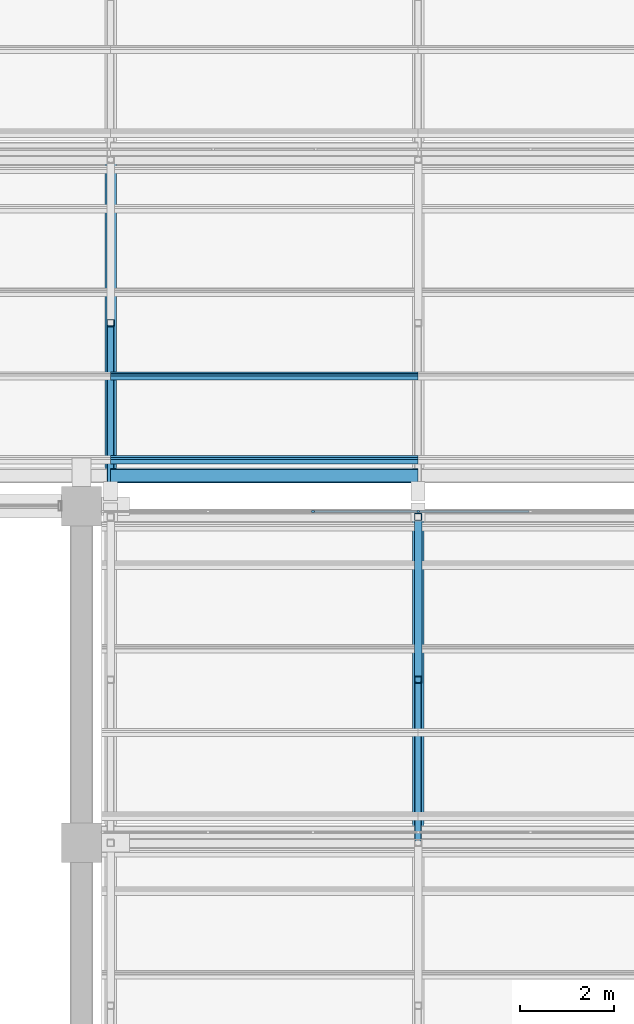
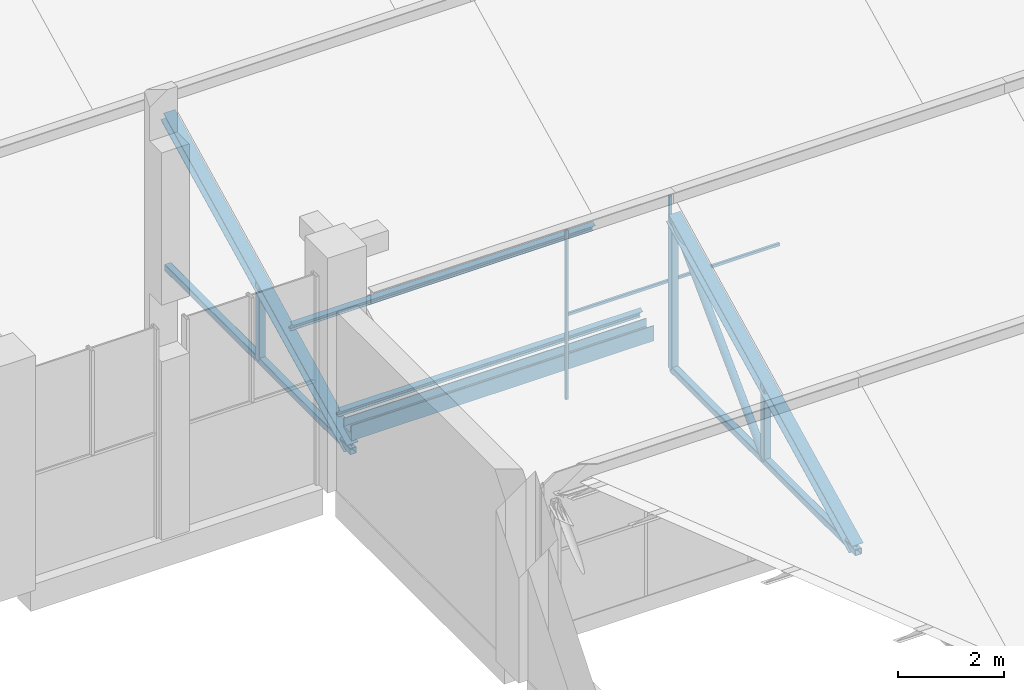
# One storey, part 33 of 83: 15 members, 2 elements without a shape of their own.
"""IFC4 building model written with IfcOpenShell, lengths in metres."""

from ifc_helpers import new_model, si_unit, direction, frame, origin, origin_2d, place, context, subcontext, project, spatial, polyline, rectangle, hollow_rectangle, hollow_circle, i_section, outline, extrude, material, material_profile, profile_set, type_object, element, aggregate, save


model = new_model("IFC4")

# Units and contexts
model_context = context("Model", 3, precision=1e-05, world=origin(), true_north=direction((0.0, 1.0)))
body_context = subcontext(model_context, "Body", "Model", "MODEL_VIEW")
ifc_project = project(units=[si_unit("LENGTHUNIT", "METRE"), si_unit("AREAUNIT", "SQUARE_METRE"), si_unit("VOLUMEUNIT", "CUBIC_METRE"), si_unit("PLANEANGLEUNIT", "RADIAN"), si_unit("MASSUNIT", "GRAM", prefix="KILO")], contexts=[model_context])

# Site, building, storey
site_placement = place(None, origin())
site = spatial("IfcSite", under=ifc_project, at=site_placement, CompositionType="ELEMENT")
building_placement = place(site_placement, origin())
building = spatial("IfcBuilding", under=site, at=building_placement, Name="Silangan Lancet Faculty of Sciences", CompositionType="ELEMENT")
storey_placement = place(building_placement, frame((0.0, 0.0, 11.39990234375)))
storey = spatial("IfcBuildingStorey", under=building, at=storey_placement, Name="L02", CompositionType="ELEMENT", Elevation=11.39990234375)

# Curtain wall, member
ifc_material_1 = material(Name="Aluminium and laminated glass", Category="aluminium")
curtain_wall_type = type_object("IfcCurtainWallType", Name="North light glazing system", PredefinedType="NOTDEFINED", material=ifc_material_1)
curtain_wall_1_placement = place(storey_placement, origin())
curtain_wall_1 = element("IfcCurtainWall", 1, at=curtain_wall_1_placement, inside=storey, type_object=curtain_wall_type, Name="North light glazing AUD-2-1", PredefinedType="NOTDEFINED")
ifc_material_2 = material(Name="Aluminium 6063-T6", Category="aluminium")
ifc_material_profile_1 = material_profile(ifc_material_2, rectangle(XDim=0.06005859375, YDim=0.050048828125, at=origin_2d()), Name="AL 60x50")
ifc_profile_set_1 = profile_set([ifc_material_profile_1], Name="Aluminium 6063-T6")
member_type_1 = type_object("IfcMemberType", Name="North light mullion 60x50", PredefinedType="MULLION", material=ifc_profile_set_1)
member_1_placement = place(storey_placement, frame((55.351806640625, 35.885009765625, 0.10009765625), z_axis=(0.0, 0.0, 1.0), x_axis=(1.0, 0.0, 0.0)))
member_1 = element("IfcMember", 2, at=member_1_placement, type_object=member_type_1, Name="North light mullion AUD-2-1 3", PredefinedType="MULLION", context=body_context, shape_type="SweptSolid", body=[
    extrude(rectangle(XDim=0.06005859375, YDim=0.050048828125, at=origin_2d()), origin(), (0.0, 0.0, 1.0), 3.887939453125),
])

curtain_wall_2_placement = place(storey_placement, origin())
curtain_wall_2 = element("IfcCurtainWall", 3, at=curtain_wall_2_placement, inside=storey, type_object=curtain_wall_type, Name="North light glazing AUD-2-2", PredefinedType="NOTDEFINED")
member_2_placement = place(storey_placement, frame((57.60009765625, 35.885009765625, 0.10009765625), z_axis=(0.0, 0.0, 1.0), x_axis=(1.0, 0.0, 0.0)))
member_2 = element("IfcMember", 4, at=member_2_placement, type_object=member_type_1, Name="North light mullion AUD-2-2 1", PredefinedType="MULLION", context=body_context, shape_type="SweptSolid", body=[
    extrude(rectangle(XDim=0.06005859375, YDim=0.050048828125, at=origin_2d()), origin(), (0.0, 0.0, 1.0), 3.887939453125),
])

# Member
ifc_material_3 = material(Name="Aluminium 6063-T6", Category="aluminium")
ifc_material_profile_2 = material_profile(ifc_material_3, rectangle(XDim=0.050048828125, YDim=0.06005859375, at=origin_2d()), Name="AL 50x60")
ifc_profile_set_2 = profile_set([ifc_material_profile_2], Name="Aluminium 6063-T6")
member_type_2 = type_object("IfcMemberType", Name="North light transom 50x60", PredefinedType="USERDEFINED", material=ifc_profile_set_2)
member_3_placement = place(storey_placement, frame((55.381591796875, 35.885009765625, 2.044189453125), z_axis=(1.0, 0.0, 0.0), x_axis=(0.0, 1.0, 0.0)))
member_3 = element("IfcMember", 5, at=member_3_placement, type_object=member_type_2, Name="North light transom AUD-2-1 3", ObjectType="TRANSOM", PredefinedType="USERDEFINED", context=body_context, shape_type="SweptSolid", body=[
    extrude(rectangle(XDim=0.050048828125, YDim=0.06005859375, at=origin_2d()), origin(), (0.0, 0.0, 1.0), 2.1884765625),
])

aggregate(curtain_wall_1, [member_1, member_3])

member_4_placement = place(storey_placement, frame((57.6298828125, 35.885009765625, 2.044189453125), z_axis=(1.0, 0.0, 0.0), x_axis=(0.0, 1.0, 0.0)))
member_4 = element("IfcMember", 6, at=member_4_placement, type_object=member_type_2, Name="North light transom AUD-2-2 1", ObjectType="TRANSOM", PredefinedType="USERDEFINED", context=body_context, shape_type="SweptSolid", body=[
    extrude(rectangle(XDim=0.050048828125, YDim=0.06005859375, at=origin_2d()), origin(), (0.0, 0.0, 1.0), 2.340087890625),
])

aggregate(curtain_wall_2, [member_2, member_4])

# Members
ifc_material_4 = material(Name="Steel SS400", Category="steel")
ifc_material_profile_3 = material_profile(ifc_material_4, i_section(OverallWidth=0.10009765625, OverallDepth=0.199951171875, WebThickness=0.005615234375, FlangeThickness=0.008056640625, FilletRadius=0.008056640625, at=origin_2d()), Name="H 200x100x5.5x8")
ifc_profile_set_3 = profile_set([ifc_material_profile_3], Name="Steel SS400")
member_type_3 = type_object("IfcMemberType", Name="Sheeting purlin H 200x100x5.5x8", PredefinedType="PURLIN", material=ifc_profile_set_3)
for number, where, z_axis, x_axis, name in (
    (7, (51.02490234375, 36.9951171875, 0.6318359375), (1.0, 0.0, 0.0), (0.0, 0.894427192382, 0.447213592736), "Sheeting purlin NAB-1-4 1"),
    (8, (51.02490234375, 38.7841796875, 1.526123046875), (1.0, 0.0, 0.0), (0.0, 0.894427192382, 0.447213592736), "Sheeting purlin NAB-1-4 2"),
):
    element("IfcMember", number, at=place(storey_placement, frame(where, z_axis=z_axis, x_axis=x_axis)), inside=storey, type_object=member_type_3, Name=name, PredefinedType="PURLIN", context=body_context, shape_type="SweptSolid", body=[
        extrude(i_section(OverallWidth=0.10009765625, OverallDepth=0.199951171875, WebThickness=0.005615234375, FlangeThickness=0.008056640625, FilletRadius=0.008056640625, at=origin_2d()), origin(), (0.0, 0.0, 1.0), 6.5751953125),
    ])
ifc_material_5 = material(Name="Steel STKR400", Category="steel")
ifc_material_profile_4 = material_profile(ifc_material_5, hollow_rectangle(XDim=0.14990234375, YDim=0.14990234375, WallThickness=0.009033203125, InnerFilletRadius=0.009033203125, OuterFilletRadius=0.01806640625, at=origin_2d()), Name="SHS 150x150x9.0")
ifc_profile_set_4 = profile_set([ifc_material_profile_4], Name="Steel STKR400")
member_type_4 = type_object("IfcMemberType", Name="Truss bottom chord SHS 150x150x9.0", PredefinedType="CHORD", material=ifc_profile_set_4)
member_5_placement = place(storey_placement, frame((51.02490234375, 36.425048828125, 0.09521484375), z_axis=(0.0, 1.0, 0.0), x_axis=(-1.0, 0.0, 0.0)))
element("IfcMember", 9, at=member_5_placement, inside=storey, type_object=member_type_4, Name="Truss 4 bottom chord 1", PredefinedType="CHORD", context=body_context, shape_type="SweptSolid", body=[
    extrude(hollow_rectangle(XDim=0.14990234375, YDim=0.14990234375, WallThickness=0.009033203125, InnerFilletRadius=0.009033203125, OuterFilletRadius=0.01806640625, at=origin_2d()), origin(), (0.0, 0.0, 1.0), 6.981689453125),
])
member_6_placement = place(storey_placement, frame((57.60009765625, 28.800048828125, 0.09521484375), z_axis=(0.0, 1.0, 0.0), x_axis=(-1.0, 0.0, 0.0)))
element("IfcMember", 10, at=member_6_placement, inside=storey, type_object=member_type_4, Name="Truss 2 bottom chord 2", PredefinedType="CHORD", context=body_context, shape_type="SweptSolid", body=[
    extrude(hollow_rectangle(XDim=0.14990234375, YDim=0.14990234375, WallThickness=0.009033203125, InnerFilletRadius=0.009033203125, OuterFilletRadius=0.01806640625, at=origin_2d()), origin(), (0.0, 0.0, 1.0), 6.969970703125),
])
ifc_material_6 = material(Name="Steel STK400", Category="steel")
ifc_material_profile_5 = material_profile(ifc_material_6, hollow_circle(Radius=0.08251953125, WallThickness=0.0048828125, at=origin_2d()), Name="CHS 165.2x5.0")
ifc_profile_set_5 = profile_set([ifc_material_profile_5], Name="Steel STK400")
member_type_5 = type_object("IfcMemberType", Name="Truss diagonal CHS 165.2x5.0", PredefinedType="BRACE", material=ifc_profile_set_5)
member_7_placement = place(storey_placement, frame((57.60009765625, 32.284912109375, 0.09521484375), z_axis=(0.0, 0.707131548933, 0.707082012572), x_axis=(-1.0, 0.0, 0.0)))
element("IfcMember", 11, at=member_7_placement, inside=storey, type_object=member_type_5, Name="Truss 2 diagonal 2", PredefinedType="BRACE", context=body_context, shape_type="SweptSolid", body=[
    extrude(hollow_circle(Radius=0.08251953125, WallThickness=0.0048828125, at=origin_2d()), origin(), (0.0, 0.0, 1.0), 4.928466796875),
])
ifc_material_7 = material(Name="Steel STKR400", Category="steel")
ifc_material_profile_6 = material_profile(ifc_material_7, hollow_rectangle(XDim=0.14990234375, YDim=0.14990234375, WallThickness=0.006103515625, InnerFilletRadius=0.006103515625, OuterFilletRadius=0.011962890625, at=origin_2d()), Name="SHS 150x150x6.0")
ifc_profile_set_6 = profile_set([ifc_material_profile_6], Name="Steel STKR400")
member_type_6 = type_object("IfcMemberType", Name="Truss post SHS 150x150x6.0", PredefinedType="POST", material=ifc_profile_set_6)
member_8_placement = place(storey_placement, frame((51.02490234375, 39.915771484375, 0.09521484375), z_axis=(0.0, 0.0, 1.0), x_axis=(1.0, 0.0, 0.0)))
element("IfcMember", 12, at=member_8_placement, inside=storey, type_object=member_type_6, Name="Truss 4 mid post 1", PredefinedType="POST", context=body_context, shape_type="SweptSolid", body=[
    extrude(hollow_rectangle(XDim=0.14990234375, YDim=0.14990234375, WallThickness=0.006103515625, InnerFilletRadius=0.006103515625, OuterFilletRadius=0.011962890625, at=origin_2d()), origin(), (0.0, 0.0, 1.0), 1.745361328125),
])
member_9_placement = place(storey_placement, frame((57.60009765625, 35.77001953125, 0.09521484375), z_axis=(0.0, 0.0, 1.0), x_axis=(1.0, 0.0, 0.0)))
element("IfcMember", 13, at=member_9_placement, inside=storey, type_object=member_type_6, Name="Truss 2 riser post 2", PredefinedType="POST", context=body_context, shape_type="SweptSolid", body=[
    extrude(hollow_rectangle(XDim=0.14990234375, YDim=0.14990234375, WallThickness=0.006103515625, InnerFilletRadius=0.006103515625, OuterFilletRadius=0.011962890625, at=origin_2d()), origin(), (0.0, 0.0, 1.0), 3.48486328125),
])
member_10_placement = place(storey_placement, frame((57.60009765625, 32.284912109375, 0.09521484375), z_axis=(0.0, 0.0, 1.0), x_axis=(1.0, 0.0, 0.0)))
element("IfcMember", 14, at=member_10_placement, inside=storey, type_object=member_type_6, Name="Truss 2 mid post 2", PredefinedType="POST", context=body_context, shape_type="SweptSolid", body=[
    extrude(hollow_rectangle(XDim=0.14990234375, YDim=0.14990234375, WallThickness=0.006103515625, InnerFilletRadius=0.006103515625, OuterFilletRadius=0.011962890625, at=origin_2d()), origin(), (0.0, 0.0, 1.0), 1.742431640625),
])
ifc_material_8 = material(Name="Steel SS400", Category="steel")
ifc_material_profile_7 = material_profile(ifc_material_8, i_section(OverallWidth=0.25, OverallDepth=0.25, WebThickness=0.009033203125, FlangeThickness=0.013916015625, FilletRadius=0.01611328125, at=origin_2d()), Name="H 250x250x9x14")
ifc_profile_set_7 = profile_set([ifc_material_profile_7], Name="Steel SS400")
member_type_7 = type_object("IfcMemberType", Name="Truss top chord H 250x250x9x14", PredefinedType="CHORD", material=ifc_profile_set_7)
member_11_placement = place(storey_placement, frame((51.02490234375, 36.505615234375, 0.13525390625), z_axis=(0.0, 0.894420862535, 0.447226252205), x_axis=(-1.0, 0.0, 0.0)))
element("IfcMember", 15, at=member_11_placement, inside=storey, type_object=member_type_7, Name="Truss 4 top chord 1", PredefinedType="CHORD", context=body_context, shape_type="SweptSolid", body=[
    extrude(i_section(OverallWidth=0.25, OverallDepth=0.25, WebThickness=0.009033203125, FlangeThickness=0.013916015625, FilletRadius=0.01611328125, at=origin_2d()), origin(), (0.0, 0.0, 1.0), 7.7158203125),
])
member_12_placement = place(storey_placement, frame((57.60009765625, 28.880615234375, 0.13525390625), z_axis=(0.0, 0.894420851771, 0.447226273734), x_axis=(-1.0, 0.0, 0.0)))
element("IfcMember", 16, at=member_12_placement, inside=storey, type_object=member_type_7, Name="Truss 2 top chord 2", PredefinedType="CHORD", context=body_context, shape_type="SweptSolid", body=[
    extrude(i_section(OverallWidth=0.25, OverallDepth=0.25, WebThickness=0.009033203125, FlangeThickness=0.013916015625, FilletRadius=0.01611328125, at=origin_2d()), origin(), (0.0, 0.0, 1.0), 7.70263671875),
])
ifc_material_9 = material(Name="Stainless steel", Category="steel")
ifc_material_profile_8 = material_profile(ifc_material_9, outline(polyline([(-0.14990234375, 0.0), (0.14990234375, 0.14990234375), (0.14990234375, 0.35009765625), (0.1298828125, 0.35009765625), (0.1298828125, 0.169921875), (-0.1298828125, 0.169921875), (-0.1298828125, 0.35009765625), (-0.14990234375, 0.35009765625), (-0.14990234375, 0.0)])), Name="valley gutter")
ifc_profile_set_8 = profile_set([ifc_material_profile_8], Name="Stainless steel")
member_type_8 = type_object("IfcMemberType", Name="Valley gutter 300 wide", PredefinedType="USERDEFINED", material=ifc_profile_set_8)
member_13_placement = place(storey_placement, frame((51.02490234375, 36.64990234375, 0.2724609375), z_axis=(1.0, 0.0, 0.0), x_axis=(0.0, 1.0, 0.0)))
element("IfcMember", 17, at=member_13_placement, inside=storey, type_object=member_type_8, Name="Valley gutter NAB-1-4", ObjectType="GUTTER", PredefinedType="USERDEFINED", context=body_context, shape_type="SweptSolid", body=[
    extrude(outline(polyline([(-0.14990234375, 0.0), (0.14990234375, 0.14990234375), (0.14990234375, 0.35009765625), (0.1298828125, 0.35009765625), (0.1298828125, 0.169921875), (-0.1298828125, 0.169921875), (-0.1298828125, 0.35009765625), (-0.14990234375, 0.35009765625), (-0.14990234375, 0.0)])), origin(), (0.0, 0.0, 1.0), 6.5751953125),
])

save(model, "model.ifc")
